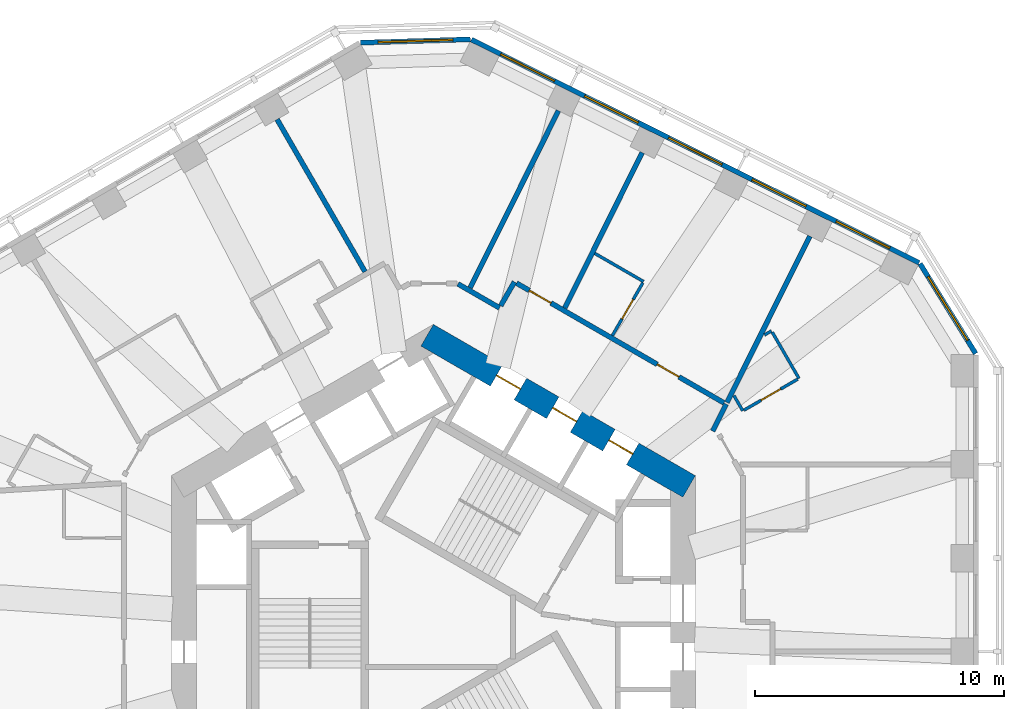
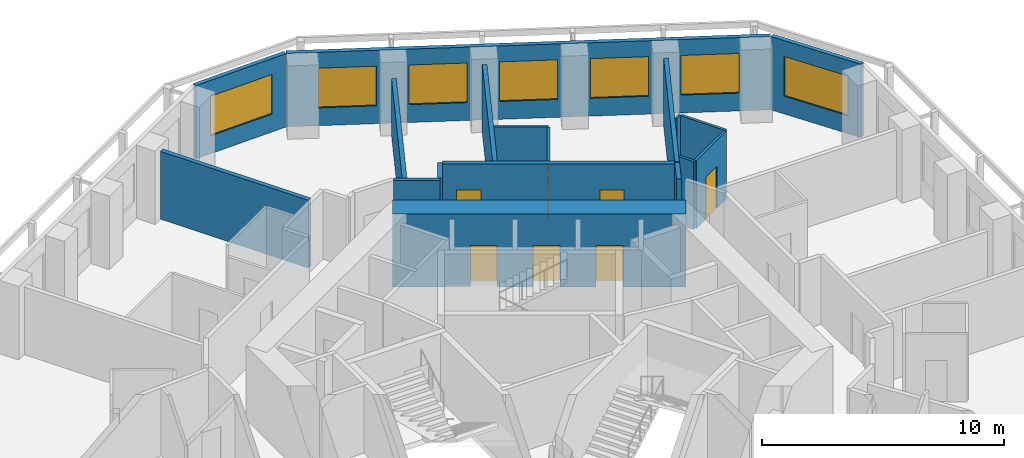
# One storey, part 8 of 11: 18 walls, 7 doors, 7 windows, 14 openings.
"""IFC4 building model written with IfcOpenShell, lengths in metres."""

from ifc_helpers import new_model, si_unit, direction, frame, frame_2d, origin, place, context, subcontext, project, spatial, rectangle, extrude, material, layer, layer_set, type_object, element, fill, save


model = new_model("IFC4")

# Units and contexts
model_context = context("Model", 3, precision=1e-05, world=origin(), true_north=direction((0.0, 1.0)))
body_context = subcontext(model_context, "Body", "Model", "MODEL_VIEW")
ifc_project = project(units=[si_unit("LENGTHUNIT", "METRE"), si_unit("AREAUNIT", "SQUARE_METRE"), si_unit("VOLUMEUNIT", "CUBIC_METRE"), si_unit("PLANEANGLEUNIT", "RADIAN"), si_unit("MASSUNIT", "GRAM", prefix="KILO")], contexts=[model_context])

# Site, building, storey
site_placement = place(None, origin())
site = spatial("IfcSite", under=ifc_project, at=site_placement, CompositionType="ELEMENT")
building_placement = place(site_placement, origin())
building = spatial("IfcBuilding", under=site, at=building_placement, Name="Vanh Sen Convention Tower", CompositionType="ELEMENT")
storey_placement = place(building_placement, frame((0.0, 0.0, 128.10009765625)))
storey = spatial("IfcBuildingStorey", under=building, at=storey_placement, Name="L31", CompositionType="ELEMENT", Elevation=128.10009765625)

# Wall
ifc_material_1 = material(Name="Moisture-resistant gypsum board on steel studs", Category="steel")
ifc_layer_1 = layer(ifc_material_1, 0.1201171875)
ifc_layer_set_1 = layer_set([ifc_layer_1], Name="Moisture-resistant gypsum board on steel studs")
wall_type_1 = type_object("IfcWallType", Name="Bathroom partition 120", PredefinedType="PARTITIONING", material=ifc_layer_set_1)
wall_1_placement = place(storey_placement, frame((6.467529296875, 14.973388671875, 0.0), z_axis=(0.0, 0.0, 1.0), x_axis=(0.865993004593, -0.500056112848, 0.0)))
element("IfcWall", 1, at=wall_1_placement, inside=storey, type_object=wall_type_1, Name="Bathroom partition 120", PredefinedType="PARTITIONING", context=body_context, shape_type="SweptSolid", body=[
    extrude(rectangle(XDim=2.259033203125, YDim=0.1201171875, at=frame_2d((1.12939453125, 0.0))), origin(), (0.0, 0.0, 1.0), 3.419921875),
])

# Wall, opening, door
wall_2_placement = place(storey_placement, frame((8.393798828125, 13.791748046875, 0.0), z_axis=(0.0, 0.0, 1.0), x_axis=(-0.500002508028, -0.866023955769, 0.0)))
wall_2 = element("IfcWall", 2, at=wall_2_placement, inside=storey, type_object=wall_type_1, Name="Bathroom partition 120", PredefinedType="PARTITIONING", context=body_context, shape_type="SweptSolid", body=[
    extrude(rectangle(XDim=2.43994140625, YDim=0.1201171875, at=frame_2d((1.219970703125, 0.0))), origin(), (0.0, 0.0, 1.0), 3.419921875),
])
opening_1_placement = place(wall_2_placement, frame((0.77001953125, 0.0, 0.0)))
opening_1 = element("IfcOpeningElement", 3, at=opening_1_placement, cuts=wall_2, Name="Opening D30107", PredefinedType="OPENING", context=body_context, shape_type="SweptSolid", body=[
    extrude(rectangle(XDim=0.89990234375, YDim=2.10009765625, at=frame_2d((0.449951171875, 1.050048828125))), frame((0.0, 0.070068359375, 0.0), z_axis=(0.0, -1.0, 0.0), x_axis=(1.0, 0.0, 0.0)), (0.0, 0.0, 1.0), 0.14013671875),
])
ifc_material_2 = material(Name="Laminate door in steel frame", Category="steel")
door_type_1 = type_object("IfcDoorType", Name="Room internal door 900", OperationType="SINGLE_SWING_LEFT", PredefinedType="DOOR", material=ifc_material_2)
door_1_placement = place(opening_1_placement, origin())
door_1 = element("IfcDoor", 4, at=door_1_placement, inside=storey, type_object=door_type_1, Name="Internal room door D30107", OperationType="SINGLE_SWING_LEFT", OverallHeight=2.10009765625, OverallWidth=0.89990234375, PredefinedType="DOOR", context=body_context, shape_type="SweptSolid", body=[
    extrude(rectangle(XDim=0.89990234375, YDim=2.10009765625, at=frame_2d((0.449951171875, 1.050048828125))), frame((0.0, 0.02490234375, 0.0), z_axis=(0.0, -1.0, 0.0), x_axis=(1.0, 0.0, 0.0)), (0.0, 0.0, 1.0), 0.050048828125),
])
fill(opening_1, door_1)

# Walls
wall_3_placement = place(storey_placement, frame((12.40087890625, 8.66064453125, 0.0), z_axis=(0.0, 0.0, 1.0), x_axis=(-0.499831418649, 0.866122712398, 0.0)))
element("IfcWall", 5, at=wall_3_placement, inside=storey, type_object=wall_type_1, Name="Bathroom partition 120", PredefinedType="PARTITIONING", context=body_context, shape_type="SweptSolid", body=[
    extrude(rectangle(XDim=0.711181640625, YDim=0.1201171875, at=frame_2d((0.35546875, 0.0))), origin(), (0.0, 0.0, 1.0), 3.419921875),
])
wall_4_placement = place(storey_placement, frame((13.269287109375, 11.702392578125, 0.0), z_axis=(0.0, 0.0, 1.0), x_axis=(0.865936922628, 0.500153222552, 0.0)))
element("IfcWall", 6, at=wall_4_placement, inside=storey, type_object=wall_type_1, Name="Bathroom partition 120", PredefinedType="PARTITIONING", context=body_context, shape_type="SweptSolid", body=[
    extrude(rectangle(XDim=0.3271484375, YDim=0.1201171875, at=frame_2d((0.16357421875, 0.0))), origin(), (0.0, 0.0, 1.0), 3.419921875),
])
wall_5_placement = place(storey_placement, frame((13.58251953125, 11.81396484375, 0.0), z_axis=(0.0, 0.0, 1.0), x_axis=(0.500028586798, -0.86600889856, 0.0)))
element("IfcWall", 7, at=wall_5_placement, inside=storey, type_object=wall_type_1, Name="Bathroom partition 120", PredefinedType="PARTITIONING", context=body_context, shape_type="SweptSolid", body=[
    extrude(rectangle(XDim=2.139892578125, YDim=0.1201171875, at=frame_2d((1.06982421875, 0.0))), origin(), (0.0, 0.0, 1.0), 3.419921875),
])

# Wall, opening, door
wall_6_placement = place(storey_placement, frame((14.6005859375, 9.9306640625, 0.0), z_axis=(0.0, 0.0, 1.0), x_axis=(-0.866023285932, -0.50000366821, 0.0)))
wall_6 = element("IfcWall", 8, at=wall_6_placement, inside=storey, type_object=wall_type_1, Name="Bathroom partition 120", PredefinedType="PARTITIONING", context=body_context, shape_type="SweptSolid", body=[
    extrude(rectangle(XDim=2.47998046875, YDim=0.1201171875, at=frame_2d((1.239990234375, 0.0))), origin(), (0.0, 0.0, 1.0), 3.419921875),
])
opening_2_placement = place(wall_6_placement, frame((0.7900390625, 0.0, 0.0)))
opening_2 = element("IfcOpeningElement", 9, at=opening_2_placement, cuts=wall_6, Name="Opening D30105", PredefinedType="OPENING", context=body_context, shape_type="SweptSolid", body=[
    extrude(rectangle(XDim=0.89990234375, YDim=2.10009765625, at=frame_2d((0.449951171875, 1.050048828125))), frame((0.0, 0.070068359375, 0.0), z_axis=(0.0, -1.0, 0.0), x_axis=(1.0, 0.0, 0.0)), (0.0, 0.0, 1.0), 0.14013671875),
])
door_2_placement = place(opening_2_placement, origin())
door_2 = element("IfcDoor", 10, at=door_2_placement, inside=storey, type_object=door_type_1, Name="Internal room door D30105", OperationType="SINGLE_SWING_LEFT", OverallHeight=2.10009765625, OverallWidth=0.89990234375, PredefinedType="DOOR", context=body_context, shape_type="SweptSolid", body=[
    extrude(rectangle(XDim=0.89990234375, YDim=2.10009765625, at=frame_2d((0.449951171875, 1.050048828125))), frame((0.0, 0.02490234375, 0.0), z_axis=(0.0, -1.0, 0.0), x_axis=(1.0, 0.0, 0.0)), (0.0, 0.0, 1.0), 0.050048828125),
])
fill(opening_2, door_2)

# Wall, openings, doors
ifc_material_3 = material(Name="Concrete C80/95", Category="concrete")
ifc_layer_2 = layer(ifc_material_3, 1.0)
ifc_layer_set_2 = layer_set([ifc_layer_2], Name="Concrete C80/95")
wall_type_2 = type_object("IfcWallType", Name="Core outer wall 1000 C80/95", PredefinedType="SHEAR", material=ifc_layer_set_2)
wall_7_placement = place(storey_placement, frame((10.25, 5.629150390625, 0.0), z_axis=(0.0, 0.0, 1.0), x_axis=(-0.866022616891, 0.50000482701, 0.0)))
wall_7 = element("IfcWall", 11, at=wall_7_placement, inside=storey, type_object=wall_type_2, Name="Core wall face NE L31", PredefinedType="SHEAR", context=body_context, shape_type="SweptSolid", body=[
    extrude(rectangle(XDim=12.12451171875, YDim=1.0, at=frame_2d((6.062255859375, 0.0))), origin(), (0.0, 0.0, 1.0), 3.699951171875),
])
opening_3_placement = place(wall_7_placement, frame((2.6123046875, 0.0, 0.0)))
opening_3 = element("IfcOpeningElement", 12, at=opening_3_placement, cuts=wall_7, Name="Opening LD-LR3", PredefinedType="OPENING", context=body_context, shape_type="SweptSolid", body=[
    extrude(rectangle(XDim=1.10009765625, YDim=2.10009765625, at=frame_2d((0.550048828125, 1.050048828125))), frame((0.0, 0.510009765625, 0.0), z_axis=(0.0, -1.0, 0.0), x_axis=(1.0, 0.0, 0.0)), (0.0, 0.0, 1.0), 1.02001953125),
])
opening_4_placement = place(wall_7_placement, frame((5.212158203125, 0.0, 0.0)))
opening_4 = element("IfcOpeningElement", 13, at=opening_4_placement, cuts=wall_7, Name="Opening LD-LR4", PredefinedType="OPENING", context=body_context, shape_type="SweptSolid", body=[
    extrude(rectangle(XDim=1.10009765625, YDim=2.10009765625, at=frame_2d((0.550048828125, 1.050048828125))), frame((0.0, 0.510009765625, 0.0), z_axis=(0.0, -1.0, 0.0), x_axis=(1.0, 0.0, 0.0)), (0.0, 0.0, 1.0), 1.02001953125),
])
opening_5_placement = place(wall_7_placement, frame((7.812255859375, 0.0, 0.0)))
opening_5 = element("IfcOpeningElement", 14, at=opening_5_placement, cuts=wall_7, Name="Opening LD-LR5", PredefinedType="OPENING", context=body_context, shape_type="SweptSolid", body=[
    extrude(rectangle(XDim=1.10009765625, YDim=2.10009765625, at=frame_2d((0.550048828125, 1.050048828125))), frame((0.0, 0.510009765625, 0.0), z_axis=(0.0, -1.0, 0.0), x_axis=(1.0, 0.0, 0.0)), (0.0, 0.0, 1.0), 1.02001953125),
])
ifc_material_4 = material(Name="Stainless steel", Category="steel")
door_type_2 = type_object("IfcDoorType", Name="Lift landing door 1100", OperationType="DOUBLE_DOOR_SLIDING", PredefinedType="DOOR", material=ifc_material_4)
door_3_placement = place(opening_3_placement, origin())
door_3 = element("IfcDoor", 15, at=door_3_placement, inside=storey, type_object=door_type_2, Name="Lift LR3 landing door LD-LR3", OperationType="DOUBLE_DOOR_SLIDING", OverallHeight=2.10009765625, OverallWidth=1.10009765625, PredefinedType="DOOR", context=body_context, shape_type="SweptSolid", body=[
    extrude(rectangle(XDim=1.10009765625, YDim=2.10009765625, at=frame_2d((0.550048828125, 1.050048828125))), frame((0.0, 0.02490234375, 0.0), z_axis=(0.0, -1.0, 0.0), x_axis=(1.0, 0.0, 0.0)), (0.0, 0.0, 1.0), 0.050048828125),
])
fill(opening_3, door_3)
door_4_placement = place(opening_4_placement, origin())
door_4 = element("IfcDoor", 16, at=door_4_placement, inside=storey, type_object=door_type_2, Name="Lift LR4 landing door LD-LR4", OperationType="DOUBLE_DOOR_SLIDING", OverallHeight=2.10009765625, OverallWidth=1.10009765625, PredefinedType="DOOR", context=body_context, shape_type="SweptSolid", body=[
    extrude(rectangle(XDim=1.10009765625, YDim=2.10009765625, at=frame_2d((0.550048828125, 1.050048828125))), frame((0.0, 0.02490234375, 0.0), z_axis=(0.0, -1.0, 0.0), x_axis=(1.0, 0.0, 0.0)), (0.0, 0.0, 1.0), 0.050048828125),
])
fill(opening_4, door_4)
door_5_placement = place(opening_5_placement, origin())
door_5 = element("IfcDoor", 17, at=door_5_placement, inside=storey, type_object=door_type_2, Name="Lift LR5 landing door LD-LR5", OperationType="DOUBLE_DOOR_SLIDING", OverallHeight=2.10009765625, OverallWidth=1.10009765625, PredefinedType="DOOR", context=body_context, shape_type="SweptSolid", body=[
    extrude(rectangle(XDim=1.10009765625, YDim=2.10009765625, at=frame_2d((0.550048828125, 1.050048828125))), frame((0.0, 0.02490234375, 0.0), z_axis=(0.0, -1.0, 0.0), x_axis=(1.0, 0.0, 0.0)), (0.0, 0.0, 1.0), 0.050048828125),
])
fill(opening_5, door_5)

# Walls
ifc_material_5 = material(Name="Gypsum board on steel studs with mineral wool", Category="steel")
ifc_layer_3 = layer(ifc_material_5, 0.199951171875)
ifc_layer_set_3 = layer_set([ifc_layer_3], Name="Gypsum board on steel studs with mineral wool")
wall_type_3 = type_object("IfcWallType", Name="Corridor partition wall 200", PredefinedType="PARTITIONING", material=ifc_layer_set_3)
wall_8_placement = place(storey_placement, frame((2.6484375, 12.789306640625, 0.0), z_axis=(0.0, 0.0, 1.0), x_axis=(-0.8660607342, 0.499938800931, 0.0)))
element("IfcWall", 18, at=wall_8_placement, inside=storey, type_object=wall_type_3, Name="Corridor partition wall 200", PredefinedType="PARTITIONING", context=body_context, shape_type="SweptSolid", body=[
    extrude(rectangle(XDim=1.921142578125, YDim=0.199951171875, at=frame_2d((0.96044921875, 0.0))), origin(), (0.0, 0.0, 1.0), 3.419921875),
])
wall_9_placement = place(storey_placement, frame((3.248779296875, 13.829345703125, 0.0), z_axis=(0.0, 0.0, 1.0), x_axis=(-0.499812034598, -0.866133898465, 0.0)))
element("IfcWall", 19, at=wall_9_placement, inside=storey, type_object=wall_type_3, Name="Corridor partition wall 200", PredefinedType="PARTITIONING", context=body_context, shape_type="SweptSolid", body=[
    extrude(rectangle(XDim=1.10107421875, YDim=0.199951171875, at=frame_2d((0.550537109375, 0.0))), origin(), (0.0, 0.0, 1.0), 3.419921875),
])
wall_10_placement = place(storey_placement, frame((11.1962890625, 7.85400390625, 0.0), z_axis=(0.0, 0.0, 1.0), x_axis=(0.446241040303, 0.894912808015, 0.0)))
element("IfcWall", 20, at=wall_10_placement, inside=storey, type_object=wall_type_3, Name="Corridor partition wall 200", PredefinedType="PARTITIONING", context=body_context, shape_type="SweptSolid", body=[
    extrude(rectangle(XDim=1.205322265625, YDim=0.199951171875, at=frame_2d((0.6025390625, 0.0))), origin(), (0.0, 0.0, 1.0), 3.419921875),
])

# Wall, openings, doors
wall_11_placement = place(storey_placement, frame((11.646484375, 8.98095703125, 0.0), z_axis=(0.0, 0.0, 1.0), x_axis=(-0.866027142779, 0.499996987961, 0.0)))
wall_11 = element("IfcWall", 21, at=wall_11_placement, inside=storey, type_object=wall_type_3, Name="Corridor partition wall 200", PredefinedType="PARTITIONING", context=body_context, shape_type="SweptSolid", body=[
    extrude(rectangle(XDim=9.5966796875, YDim=0.199951171875, at=frame_2d((4.79833984375, 0.0))), origin(), (0.0, 0.0, 1.0), 3.419921875),
])
opening_6_placement = place(wall_11_placement, frame((2.086181640625, 0.0, 0.0)))
opening_6 = element("IfcOpeningElement", 22, at=opening_6_placement, cuts=wall_11, Name="Opening D30106", PredefinedType="OPENING", context=body_context, shape_type="SweptSolid", body=[
    extrude(rectangle(XDim=1.0, YDim=2.10009765625, at=frame_2d((0.5, 1.050048828125))), frame((0.0, 0.10986328125, 0.0), z_axis=(0.0, -1.0, 0.0), x_axis=(1.0, 0.0, 0.0)), (0.0, 0.0, 1.0), 0.219970703125),
])
opening_7_placement = place(wall_11_placement, frame((8.009521484375, 0.0, 0.0)))
opening_7 = element("IfcOpeningElement", 23, at=opening_7_placement, cuts=wall_11, Name="Opening D30108", PredefinedType="OPENING", context=body_context, shape_type="SweptSolid", body=[
    extrude(rectangle(XDim=1.0, YDim=2.10009765625, at=frame_2d((0.5, 1.050048828125))), frame((0.0, 0.10986328125, 0.0), z_axis=(0.0, -1.0, 0.0), x_axis=(1.0, 0.0, 0.0)), (0.0, 0.0, 1.0), 0.219970703125),
])
ifc_material_6 = material(Name="Glazed fire door in steel frame", Category="steel")
door_type_3 = type_object("IfcDoorType", Name="Tenant entrance door 1000", OperationType="SINGLE_SWING_LEFT", PredefinedType="DOOR", material=ifc_material_6)
door_6_placement = place(opening_6_placement, origin())
door_6 = element("IfcDoor", 24, at=door_6_placement, inside=storey, type_object=door_type_3, Name="Tenant suite entrance door D30106", OperationType="SINGLE_SWING_LEFT", OverallHeight=2.10009765625, OverallWidth=1.0, PredefinedType="DOOR", context=body_context, shape_type="SweptSolid", body=[
    extrude(rectangle(XDim=1.0, YDim=2.10009765625, at=frame_2d((0.5, 1.050048828125))), frame((0.0, 0.02490234375, 0.0), z_axis=(0.0, -1.0, 0.0), x_axis=(1.0, 0.0, 0.0)), (0.0, 0.0, 1.0), 0.050048828125),
])
fill(opening_6, door_6)
door_7_placement = place(opening_7_placement, origin())
door_7 = element("IfcDoor", 25, at=door_7_placement, inside=storey, type_object=door_type_3, Name="Tenant suite entrance door D30108", OperationType="SINGLE_SWING_LEFT", OverallHeight=2.10009765625, OverallWidth=1.0, PredefinedType="DOOR", context=body_context, shape_type="SweptSolid", body=[
    extrude(rectangle(XDim=1.0, YDim=2.10009765625, at=frame_2d((0.5, 1.050048828125))), frame((0.0, 0.02490234375, 0.0), z_axis=(0.0, -1.0, 0.0), x_axis=(1.0, 0.0, 0.0)), (0.0, 0.0, 1.0), 0.050048828125),
])
fill(opening_7, door_7)

# Wall, opening, window
ifc_material_7 = material(Name="Insulated lightweight infill wall")
ifc_layer_4 = layer(ifc_material_7, 0.199951171875)
ifc_layer_set_4 = layer_set([ifc_layer_4], Name="Insulated lightweight infill wall")
wall_type_4 = type_object("IfcWallType", Name="External wall 200", PredefinedType="STANDARD", material=ifc_layer_set_4)
wall_12_placement = place(storey_placement, frame((21.735107421875, 10.9580078125, 0.0), z_axis=(0.0, 0.0, 1.0), x_axis=(-0.526213807775, 0.850352296702, 0.0)))
wall_12 = element("IfcWall", 26, at=wall_12_placement, inside=storey, type_object=wall_type_4, Name="External wall CH1 L31", PredefinedType="STANDARD", context=body_context, shape_type="SweptSolid", body=[
    extrude(rectangle(XDim=4.23828125, YDim=0.199951171875, at=frame_2d((2.119140625, 0.0))), origin(), (0.0, 0.0, 1.0), 3.699951171875),
])
opening_8_placement = place(wall_12_placement, frame((0.619140625, 0.0, 0.89990234375)))
opening_8 = element("IfcOpeningElement", 27, at=opening_8_placement, cuts=wall_12, Name="Opening WO2-CH11", PredefinedType="OPENING", context=body_context, shape_type="SweptSolid", body=[
    extrude(rectangle(XDim=3.0, YDim=2.0, at=frame_2d((1.5, 1.0))), frame((0.0, 0.10986328125, 0.0), z_axis=(0.0, -1.0, 0.0), x_axis=(1.0, 0.0, 0.0)), (0.0, 0.0, 1.0), 0.219970703125),
])
ifc_material_8 = material(Name="Aluminium frame with clear low-emissivity glass", Category="aluminium")
window_type_1 = type_object("IfcWindowType", Name="Office window 3000 x 2000", PartitioningType="SINGLE_PANEL", PredefinedType="WINDOW", material=ifc_material_8)
window_1_placement = place(opening_8_placement, origin())
window_1 = element("IfcWindow", 28, at=window_1_placement, inside=storey, type_object=window_type_1, Name="Window WO2-CH11", OverallHeight=2.0, OverallWidth=3.0, PartitioningType="SINGLE_PANEL", PredefinedType="WINDOW", context=body_context, shape_type="SweptSolid", body=[
    extrude(rectangle(XDim=3.0, YDim=2.0, at=frame_2d((1.5, 1.0))), frame((0.0, 0.030029296875, 0.0), z_axis=(0.0, -1.0, 0.0), x_axis=(1.0, 0.0, 0.0)), (0.0, 0.0, 1.0), 0.06005859375),
])
fill(opening_8, window_1)

# Wall, openings, windows
wall_13_placement = place(storey_placement, frame((19.46435546875, 14.598876953125, 0.0), z_axis=(0.0, 0.0, 1.0), x_axis=(-0.894935755043, 0.446195018289, 0.0)))
wall_13 = element("IfcWall", 29, at=wall_13_placement, inside=storey, type_object=wall_type_4, Name="External wall NE L31", PredefinedType="STANDARD", context=body_context, shape_type="SweptSolid", body=[
    extrude(rectangle(XDim=20.043701171875, YDim=0.199951171875, at=frame_2d((10.02197265625, 0.0))), origin(), (0.0, 0.0, 1.0), 3.699951171875),
])
opening_9_placement = place(wall_13_placement, frame((1.31298828125, 0.0, 0.89990234375)))
opening_9 = element("IfcOpeningElement", 30, at=opening_9_placement, cuts=wall_13, Name="Opening WO1-NE1", PredefinedType="OPENING", context=body_context, shape_type="SweptSolid", body=[
    extrude(rectangle(XDim=2.39990234375, YDim=2.0, at=frame_2d((1.199951171875, 1.0))), frame((0.0, 0.10986328125, 0.0), z_axis=(0.0, -1.0, 0.0), x_axis=(1.0, 0.0, 0.0)), (0.0, 0.0, 1.0), 0.219970703125),
])
opening_10_placement = place(wall_13_placement, frame((5.06689453125, 0.0, 0.89990234375)))
opening_10 = element("IfcOpeningElement", 31, at=opening_10_placement, cuts=wall_13, Name="Opening WO1-NE2", PredefinedType="OPENING", context=body_context, shape_type="SweptSolid", body=[
    extrude(rectangle(XDim=2.39990234375, YDim=2.0, at=frame_2d((1.199951171875, 1.0))), frame((0.0, 0.10986328125, 0.0), z_axis=(0.0, -1.0, 0.0), x_axis=(1.0, 0.0, 0.0)), (0.0, 0.0, 1.0), 0.219970703125),
])
opening_11_placement = place(wall_13_placement, frame((8.821044921875, 0.0, 0.89990234375)))
opening_11 = element("IfcOpeningElement", 32, at=opening_11_placement, cuts=wall_13, Name="Opening WO1-NE3", PredefinedType="OPENING", context=body_context, shape_type="SweptSolid", body=[
    extrude(rectangle(XDim=2.39990234375, YDim=2.0, at=frame_2d((1.199951171875, 1.0))), frame((0.0, 0.10986328125, 0.0), z_axis=(0.0, -1.0, 0.0), x_axis=(1.0, 0.0, 0.0)), (0.0, 0.0, 1.0), 0.219970703125),
])
opening_12_placement = place(wall_13_placement, frame((12.5751953125, 0.0, 0.89990234375)))
opening_12 = element("IfcOpeningElement", 33, at=opening_12_placement, cuts=wall_13, Name="Opening WO1-NE4", PredefinedType="OPENING", context=body_context, shape_type="SweptSolid", body=[
    extrude(rectangle(XDim=2.39990234375, YDim=2.0, at=frame_2d((1.199951171875, 1.0))), frame((0.0, 0.10986328125, 0.0), z_axis=(0.0, -1.0, 0.0), x_axis=(1.0, 0.0, 0.0)), (0.0, 0.0, 1.0), 0.219970703125),
])
opening_13_placement = place(wall_13_placement, frame((16.329345703125, 0.0, 0.89990234375)))
opening_13 = element("IfcOpeningElement", 34, at=opening_13_placement, cuts=wall_13, Name="Opening WO1-NE5", PredefinedType="OPENING", context=body_context, shape_type="SweptSolid", body=[
    extrude(rectangle(XDim=2.39990234375, YDim=2.0, at=frame_2d((1.199951171875, 1.0))), frame((0.0, 0.10986328125, 0.0), z_axis=(0.0, -1.0, 0.0), x_axis=(1.0, 0.0, 0.0)), (0.0, 0.0, 1.0), 0.219970703125),
])
window_type_2 = type_object("IfcWindowType", Name="Office window 2400 x 2000", PartitioningType="SINGLE_PANEL", PredefinedType="WINDOW", material=ifc_material_8)
window_2_placement = place(opening_9_placement, origin())
window_2 = element("IfcWindow", 35, at=window_2_placement, inside=storey, type_object=window_type_2, Name="Window WO1-NE1", OverallHeight=2.0, OverallWidth=2.39990234375, PartitioningType="SINGLE_PANEL", PredefinedType="WINDOW", context=body_context, shape_type="SweptSolid", body=[
    extrude(rectangle(XDim=2.39990234375, YDim=2.0, at=frame_2d((1.199951171875, 1.0))), frame((0.0, 0.030029296875, 0.0), z_axis=(0.0, -1.0, 0.0), x_axis=(1.0, 0.0, 0.0)), (0.0, 0.0, 1.0), 0.06005859375),
])
fill(opening_9, window_2)
window_3_placement = place(opening_10_placement, origin())
window_3 = element("IfcWindow", 36, at=window_3_placement, inside=storey, type_object=window_type_2, Name="Window WO1-NE2", OverallHeight=2.0, OverallWidth=2.39990234375, PartitioningType="SINGLE_PANEL", PredefinedType="WINDOW", context=body_context, shape_type="SweptSolid", body=[
    extrude(rectangle(XDim=2.39990234375, YDim=2.0, at=frame_2d((1.199951171875, 1.0))), frame((0.0, 0.030029296875, 0.0), z_axis=(0.0, -1.0, 0.0), x_axis=(1.0, 0.0, 0.0)), (0.0, 0.0, 1.0), 0.06005859375),
])
fill(opening_10, window_3)
window_4_placement = place(opening_11_placement, origin())
window_4 = element("IfcWindow", 37, at=window_4_placement, inside=storey, type_object=window_type_2, Name="Window WO1-NE3", OverallHeight=2.0, OverallWidth=2.39990234375, PartitioningType="SINGLE_PANEL", PredefinedType="WINDOW", context=body_context, shape_type="SweptSolid", body=[
    extrude(rectangle(XDim=2.39990234375, YDim=2.0, at=frame_2d((1.199951171875, 1.0))), frame((0.0, 0.030029296875, 0.0), z_axis=(0.0, -1.0, 0.0), x_axis=(1.0, 0.0, 0.0)), (0.0, 0.0, 1.0), 0.06005859375),
])
fill(opening_11, window_4)
window_5_placement = place(opening_12_placement, origin())
window_5 = element("IfcWindow", 38, at=window_5_placement, inside=storey, type_object=window_type_2, Name="Window WO1-NE4", OverallHeight=2.0, OverallWidth=2.39990234375, PartitioningType="SINGLE_PANEL", PredefinedType="WINDOW", context=body_context, shape_type="SweptSolid", body=[
    extrude(rectangle(XDim=2.39990234375, YDim=2.0, at=frame_2d((1.199951171875, 1.0))), frame((0.0, 0.030029296875, 0.0), z_axis=(0.0, -1.0, 0.0), x_axis=(1.0, 0.0, 0.0)), (0.0, 0.0, 1.0), 0.06005859375),
])
fill(opening_12, window_5)
window_6_placement = place(opening_13_placement, origin())
window_6 = element("IfcWindow", 39, at=window_6_placement, inside=storey, type_object=window_type_2, Name="Window WO1-NE5", OverallHeight=2.0, OverallWidth=2.39990234375, PartitioningType="SINGLE_PANEL", PredefinedType="WINDOW", context=body_context, shape_type="SweptSolid", body=[
    extrude(rectangle(XDim=2.39990234375, YDim=2.0, at=frame_2d((1.199951171875, 1.0))), frame((0.0, 0.030029296875, 0.0), z_axis=(0.0, -1.0, 0.0), x_axis=(1.0, 0.0, 0.0)), (0.0, 0.0, 1.0), 0.06005859375),
])
fill(opening_13, window_6)

# Wall, opening, window
wall_14_placement = place(storey_placement, frame((1.478759765625, 23.552734375, 0.0), z_axis=(0.0, 0.0, 1.0), x_axis=(-0.999534786117, -0.03049936625, 0.0)))
wall_14 = element("IfcWall", 40, at=wall_14_placement, inside=storey, type_object=wall_type_4, Name="External wall CH2 L31", PredefinedType="STANDARD", context=body_context, shape_type="SweptSolid", body=[
    extrude(rectangle(XDim=4.39453125, YDim=0.199951171875, at=frame_2d((2.197265625, 0.0))), origin(), (0.0, 0.0, 1.0), 3.699951171875),
])
opening_14_placement = place(wall_14_placement, frame((0.697509765625, 0.0, 0.89990234375)))
opening_14 = element("IfcOpeningElement", 41, at=opening_14_placement, cuts=wall_14, Name="Opening WO2-CH21", PredefinedType="OPENING", context=body_context, shape_type="SweptSolid", body=[
    extrude(rectangle(XDim=3.0, YDim=2.0, at=frame_2d((1.5, 1.0))), frame((0.0, 0.10986328125, 0.0), z_axis=(0.0, -1.0, 0.0), x_axis=(1.0, 0.0, 0.0)), (0.0, 0.0, 1.0), 0.219970703125),
])
window_7_placement = place(opening_14_placement, origin())
window_7 = element("IfcWindow", 42, at=window_7_placement, inside=storey, type_object=window_type_1, Name="Window WO2-CH21", OverallHeight=2.0, OverallWidth=3.0, PartitioningType="SINGLE_PANEL", PredefinedType="WINDOW", context=body_context, shape_type="SweptSolid", body=[
    extrude(rectangle(XDim=3.0, YDim=2.0, at=frame_2d((1.5, 1.0))), frame((0.0, 0.030029296875, 0.0), z_axis=(0.0, -1.0, 0.0), x_axis=(1.0, 0.0, 0.0)), (0.0, 0.0, 1.0), 0.06005859375),
])
fill(opening_14, window_7)

# Walls
ifc_layer_5 = layer(ifc_material_5, 0.199951171875)
ifc_layer_set_5 = layer_set([ifc_layer_5], Name="Gypsum board on steel studs with mineral wool")
wall_type_5 = type_object("IfcWallType", Name="Tenant suite wall 200", PredefinedType="PARTITIONING", material=ifc_layer_set_5)
wall_15_placement = place(storey_placement, frame((-6.26416015625, 20.343505859375, 0.0), z_axis=(0.0, 0.0, 1.0), x_axis=(0.500009260695, -0.866020057054, 0.0)))
element("IfcWall", 43, at=wall_15_placement, inside=storey, type_object=wall_type_5, Name="Tenant suite wall 200", PredefinedType="PARTITIONING", context=body_context, shape_type="SweptSolid", body=[
    extrude(rectangle(XDim=7.049072265625, YDim=0.199951171875, at=frame_2d((3.5244140625, 0.0))), origin(), (0.0, 0.0, 1.0), 3.419921875),
])
wall_16_placement = place(storey_placement, frame((5.010498046875, 20.68798828125, 0.0), z_axis=(0.0, 0.0, 1.0), x_axis=(-0.446203062394, -0.894931744386, 0.0)))
element("IfcWall", 44, at=wall_16_placement, inside=storey, type_object=wall_type_5, Name="Tenant suite wall 200", PredefinedType="PARTITIONING", context=body_context, shape_type="SweptSolid", body=[
    extrude(rectangle(XDim=7.926513671875, YDim=0.199951171875, at=frame_2d((3.96337890625, 0.0))), origin(), (0.0, 0.0, 1.0), 2.869873046875),
])
wall_17_placement = place(storey_placement, frame((8.3701171875, 19.012939453125, 0.0), z_axis=(0.0, 0.0, 1.0), x_axis=(-0.446187985757, -0.894939261272, 0.0)))
element("IfcWall", 45, at=wall_17_placement, inside=storey, type_object=wall_type_5, Name="Tenant suite wall 200", PredefinedType="PARTITIONING", context=body_context, shape_type="SweptSolid", body=[
    extrude(rectangle(XDim=6.952880859375, YDim=0.199951171875, at=frame_2d((3.4765625, 0.0))), origin(), (0.0, 0.0, 1.0), 3.419921875),
])
wall_18_placement = place(storey_placement, frame((15.089599609375, 15.66259765625, 0.0), z_axis=(0.0, 0.0, 1.0), x_axis=(-0.446203977428, -0.89493128816, 0.0)))
element("IfcWall", 46, at=wall_18_placement, inside=storey, type_object=wall_type_5, Name="Tenant suite wall 200", PredefinedType="PARTITIONING", context=body_context, shape_type="SweptSolid", body=[
    extrude(rectangle(XDim=7.449951171875, YDim=0.199951171875, at=frame_2d((3.72509765625, 0.0))), origin(), (0.0, 0.0, 1.0), 3.419921875),
])

save(model, "model.ifc")
